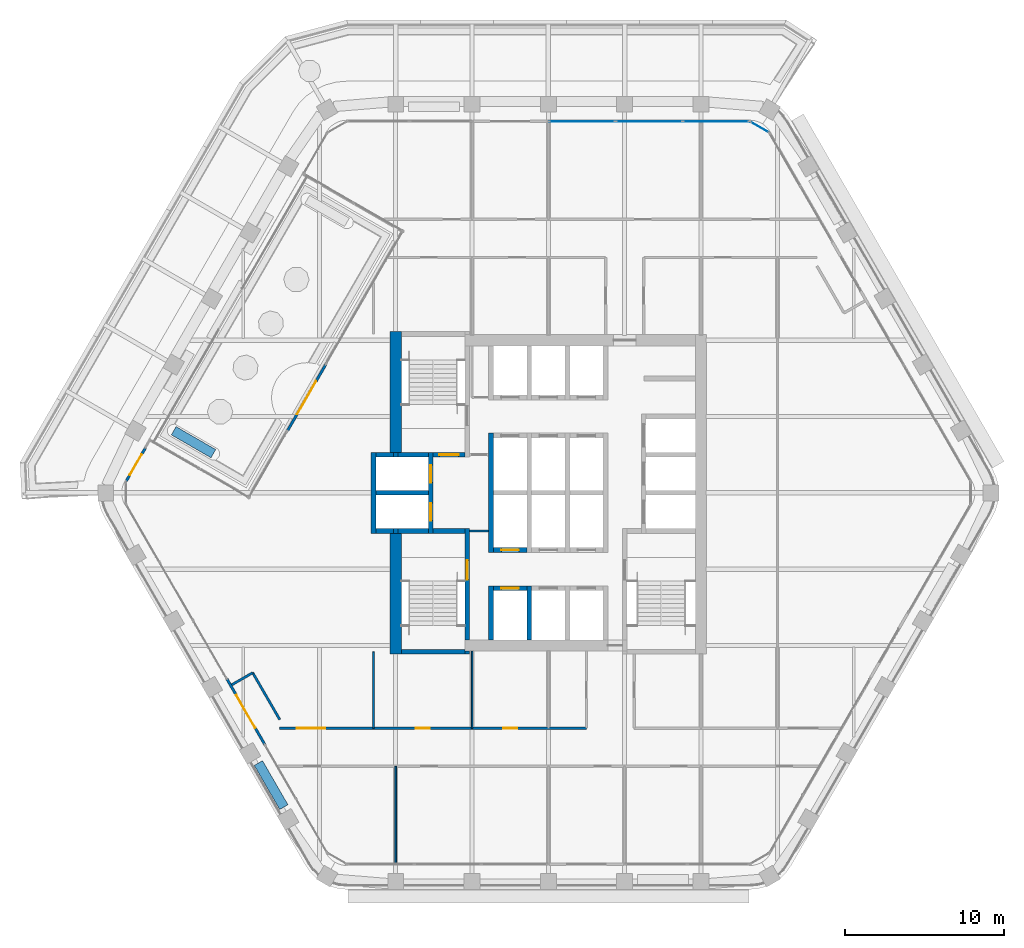
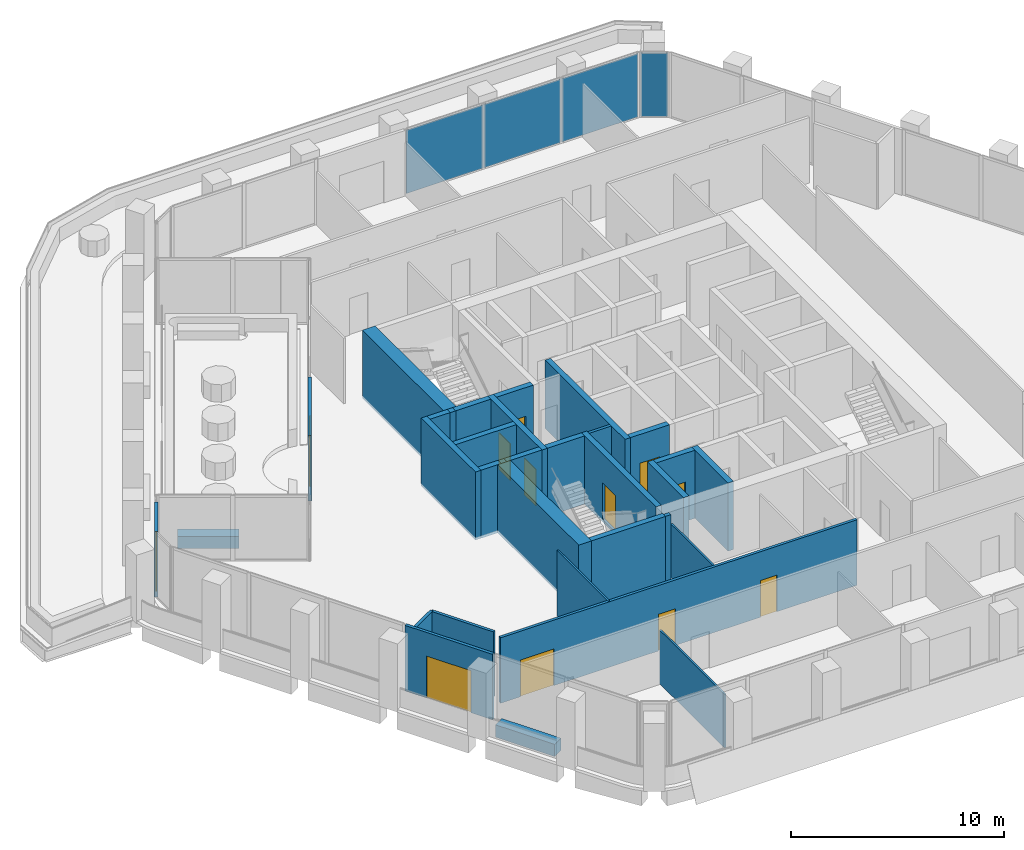
# One storey, part 11 of 18: 33 walls, 12 doors, 4 plates, 12 openings, 2 elements without a shape of their own.
"""IFC4 building model written with IfcOpenShell, lengths in metres."""

import ifcopenshell
import ifcopenshell.guid

model = None  # the IFC model being written
_history = None  # IfcOwnerHistory: only IFC2X3 demands one
_inside = {}  # id of a spatial element -> (the spatial element, [elements in it])
_under = {}  # id of a project, library or spatial element -> (it, [spatial elements below it])
_declared = {}  # id of a project -> (the project, [libraries it declares])
_typed = {}  # id of a type object -> (the type object, [elements of that type])
_made_of = {}  # id of a material, layer set ... -> (it, [elements and type objects made of it])


def new_model(schema):
    """Start an empty IFC model of exactly this schema.

    Asked for "IFC4X3", IfcOpenShell would pick the latest addendum, in which some entities
    have other attributes; the version numbers below select the first issue.
    IFC2X3 requires an IfcOwnerHistory on every rooted entity: one is made here for all.
    """
    global model, _history
    if schema == "IFC4X3":
        model = ifcopenshell.file(schema_version=(4, 3, 0, 0))
    else:
        model = ifcopenshell.file(schema=schema)
    _inside.clear()
    _under.clear()
    _declared.clear()
    _typed.clear()
    _made_of.clear()
    _history = None
    if model.schema == "IFC2X3":
        org = make("IfcOrganization", Name="unknown")
        user = make(
            "IfcPersonAndOrganization",
            ThePerson=make("IfcPerson", FamilyName="unknown"),
            TheOrganization=org,
        )
        app = make(
            "IfcApplication",
            ApplicationDeveloper=org,
            Version="unknown",
            ApplicationFullName="unknown",
            ApplicationIdentifier="unknown",
        )
        _history = make(
            "IfcOwnerHistory",
            OwningUser=user,
            OwningApplication=app,
            ChangeAction="ADDED",
            CreationDate=0,
        )
    return model


def make(cls, **values):
    """One entity of the class cls with the attributes given. An attribute that is None is left unset."""
    return model.create_entity(
        cls, **{name: value for name, value in values.items() if value is not None}
    )


def rooted(cls, **values):
    """An entity with a GlobalId (a new one), such as an element, a storey or a relation."""
    return make(cls, GlobalId=ifcopenshell.guid.new(), OwnerHistory=_history, **values)


def si_unit(unit_type, name, prefix=None):
    """IfcSIUnit, for example si_unit("LENGTHUNIT", "METRE", prefix="MILLI")."""
    return make("IfcSIUnit", UnitType=unit_type, Prefix=prefix, Name=name)


def assignment(units):
    """IfcUnitAssignment: the units of a project."""
    return None if units is None else make("IfcUnitAssignment", Units=units)


def point(xyz):
    """IfcCartesianPoint."""
    return None if xyz is None else make("IfcCartesianPoint", Coordinates=xyz)


def direction(xyz):
    """IfcDirection."""
    return None if xyz is None else make("IfcDirection", DirectionRatios=xyz)


def frame(location, z_axis=None, x_axis=None):
    """IfcAxis2Placement3D, a coordinate frame: its origin and axes. An axis left out is left unset."""
    return make(
        "IfcAxis2Placement3D",
        Location=point(location),
        Axis=direction(z_axis),
        RefDirection=direction(x_axis),
    )


def frame_2d(location, x_axis=None):
    """IfcAxis2Placement2D, a coordinate frame in the plane: its origin and x axis."""
    return make(
        "IfcAxis2Placement2D", Location=point(location), RefDirection=direction(x_axis)
    )


def origin():
    """The frame at (0, 0, 0) with its axes left unset."""
    return frame((0.0, 0.0, 0.0))


def origin_2d():
    """The frame at (0, 0) in the plane with its x axis left unset."""
    return frame_2d((0.0, 0.0))


def place(relative_to, where):
    """IfcLocalPlacement: puts the frame where relative to a parent placement (None: the world)."""
    return make(
        "IfcLocalPlacement", PlacementRelTo=relative_to, RelativePlacement=where
    )


def context(
    kind, dimensions, precision=None, world=None, true_north=None, identifier=None
):
    """IfcGeometricRepresentationContext, for example the 3D "Model" context."""
    return make(
        "IfcGeometricRepresentationContext",
        ContextIdentifier=identifier,
        ContextType=kind,
        CoordinateSpaceDimension=dimensions,
        Precision=precision,
        WorldCoordinateSystem=world,
        TrueNorth=true_north,
    )


def subcontext(parent, identifier, kind, view, scale=None):
    """IfcGeometricRepresentationSubContext, for example "Body" below "Model"."""
    return make(
        "IfcGeometricRepresentationSubContext",
        ContextIdentifier=identifier,
        ContextType=kind,
        ParentContext=parent,
        TargetScale=scale,
        TargetView=view,
    )


def project(units=None, contexts=None):
    """IfcProject with its units and contexts."""
    return rooted(
        "IfcProject",
        Name="project",
        RepresentationContexts=contexts,
        UnitsInContext=assignment(units),
    )


def spatial(cls, under=None, at=None, **own):
    """A site, building, storey or space (cls), placed at a placement, below another one or the project."""
    s = rooted(cls, ObjectPlacement=at, **own)
    if under is not None:
        _under.setdefault(under.id(), (under, []))[1].append(s)
    return s


def profile(cls, at=None, kind="AREA", **sizes):
    """A parametric profile (cls). Its sizes go by their IFC names, for example OverallWidth=200.0."""
    return make(cls, ProfileType=kind, Position=at, **sizes)


def rectangle(**sizes):
    """IfcRectangleProfileDef."""
    return profile("IfcRectangleProfileDef", **sizes)


def extrude(swept, where, along, depth):
    """IfcExtrudedAreaSolid: the profile swept, set in the frame where, extruded along a direction by depth."""
    return make(
        "IfcExtrudedAreaSolid",
        SweptArea=swept,
        Position=where,
        ExtrudedDirection=direction(along),
        Depth=depth,
    )


def shape(context_of_items, identifier, shape_type, items):
    """IfcShapeRepresentation: the items that make up one representation, for example the "Body"."""
    return make(
        "IfcShapeRepresentation",
        ContextOfItems=context_of_items,
        RepresentationIdentifier=identifier,
        RepresentationType=shape_type,
        Items=items,
    )


def material(Name=None, Category=None):
    """IfcMaterial."""
    return make("IfcMaterial", Name=Name, Category=Category)


def layer(
    of_material, thickness, ventilated=None, Name=None, Category=None, Priority=None
):
    """IfcMaterialLayer: one layer of a wall or slab, of a material (None: an air gap)."""
    return make(
        "IfcMaterialLayer",
        Material=of_material,
        LayerThickness=thickness,
        IsVentilated=ventilated,
        Name=Name,
        Category=Category,
        Priority=Priority,
    )


def layer_set(layers, Name=None):
    """IfcMaterialLayerSet."""
    return make("IfcMaterialLayerSet", MaterialLayers=layers, LayerSetName=Name)


def made_of(thing, what):
    """Note that an element or type object is made of a material, layer set ...; save() writes the relation."""
    if what is not None:
        _made_of.setdefault(what.id(), (what, []))[1].append(thing)
    return thing


def type_object(cls, material=None, **own):
    """A type object (cls), such as IfcWallType, which elements share."""
    return made_of(rooted(cls, **own), material)


def element(
    cls,
    number,
    at=None,
    inside=None,
    cuts=None,
    type_object=None,
    material=None,
    context=None,
    identifier="Body",
    shape_type=None,
    held_by="IfcProductDefinitionShape",
    body=None,
    shapes=None,
    **own,
):
    """One element of the class cls, such as IfcWall. Its Tag is "e" and its number.

    at: its placement. inside: the storey or other place that contains it. cuts: it is an
    opening in that element (IfcRelVoidsElement). A single representation is given by context,
    identifier, shape_type and body (its items); several are given by shapes. held_by: the class
    of the entity that holds the representations. save() writes the other relations.
    """
    e = rooted(cls, Tag="e%d" % number, ObjectPlacement=at, **own)
    if body is not None:
        shapes = [shape(context, identifier, shape_type, body)]
    if shapes is not None:
        e.Representation = make(held_by, Representations=shapes)
    if inside is not None:
        _inside.setdefault(inside.id(), (inside, []))[1].append(e)
    if cuts is not None:
        rooted(
            "IfcRelVoidsElement", RelatingBuildingElement=cuts, RelatedOpeningElement=e
        )
    if type_object is not None:
        _typed.setdefault(type_object.id(), (type_object, []))[1].append(e)
    return made_of(e, material)


def fill(opening, filler):
    """IfcRelFillsElement: the door or window that sits in an opening."""
    return rooted(
        "IfcRelFillsElement",
        RelatingOpeningElement=opening,
        RelatedBuildingElement=filler,
    )


def aggregate(whole, parts):
    """IfcRelAggregates: a whole, such as a stair, and the parts it consists of."""
    return rooted("IfcRelAggregates", RelatingObject=whole, RelatedObjects=parts)


def save(model, path):
    """Write the relations noted so far, then the file.

    IfcRelAggregates (storeys below a building ...), IfcRelContainedInSpatialStructure (elements
    in a storey), IfcRelDefinesByType, IfcRelAssociatesMaterial and IfcRelDeclares: one each for
    every whole, place, type object, material and project.
    """
    for whole, parts in _under.values():
        aggregate(whole, parts)
    for where, things in _inside.values():
        rooted(
            "IfcRelContainedInSpatialStructure",
            RelatedElements=things,
            RelatingStructure=where,
        )
    for kind, things in _typed.values():
        rooted("IfcRelDefinesByType", RelatedObjects=things, RelatingType=kind)
    for what, things in _made_of.values():
        rooted("IfcRelAssociatesMaterial", RelatedObjects=things, RelatingMaterial=what)
    for by, libraries in _declared.values():
        rooted("IfcRelDeclares", RelatingContext=by, RelatedDefinitions=libraries)
    model.write(path)


model = new_model("IFC4")

# Units and contexts
model_context = context("Model", 3, precision=1e-05, world=origin(), true_north=direction((0.0, 1.0)))
body_context = subcontext(model_context, "Body", "Model", "MODEL_VIEW")
ifc_project = project(units=[si_unit("LENGTHUNIT", "METRE"), si_unit("AREAUNIT", "SQUARE_METRE"), si_unit("VOLUMEUNIT", "CUBIC_METRE"), si_unit("PLANEANGLEUNIT", "RADIAN"), si_unit("MASSUNIT", "GRAM", prefix="KILO")], contexts=[model_context])

# Site, building, storey
site_placement = place(None, origin())
site = spatial("IfcSite", under=ifc_project, at=site_placement, CompositionType="ELEMENT")
building_placement = place(site_placement, origin())
building = spatial("IfcBuilding", under=site, at=building_placement, Name="Kolab Exchange Tower", CompositionType="ELEMENT")
storey_placement = place(building_placement, frame((0.0, 0.0, 150.5)))
storey = spatial("IfcBuildingStorey", under=building, at=storey_placement, Name="L30", CompositionType="ELEMENT", Elevation=150.5)

# Curtain wall, plates
ifc_material_1 = material(Name="Aluminium EN AW-6063 T6", Category="aluminium")
curtain_wall_type = type_object("IfcCurtainWallType", Name="UNITISED UPPER MID ZONE CURTAIN WALL", PredefinedType="NOTDEFINED", material=ifc_material_1)
curtain_wall_1_placement = place(storey_placement, origin())
curtain_wall_1 = element("IfcCurtainWall", 1, at=curtain_wall_1_placement, inside=storey, type_object=curtain_wall_type, Name="cw/L30/F1-2", PredefinedType="NOTDEFINED")
ifc_material_2 = material(Name="Clear insulated glazing unit", Category="glass")
ifc_layer_1 = layer(ifc_material_2, 0.028076171875)
ifc_layer_set_1 = layer_set([ifc_layer_1], Name="Clear insulated glazing unit")
plate_type = type_object("IfcPlateType", Name="UNITISED UPPER MID ZONE GLASS PANEL 28", PredefinedType="CURTAIN_PANEL", material=ifc_layer_set_1)
plate_1_placement = place(storey_placement, frame((2.126220703125, 23.361572265625, 0.06005859375), z_axis=(0.0, 0.0, 1.0), x_axis=(1.0, 0.0, 0.0)))
plate_1 = element("IfcPlate", 2, at=plate_1_placement, type_object=plate_type, Name="CW3 panel 1.1", PredefinedType="CURTAIN_PANEL", context=body_context, shape_type="SweptSolid", body=[
    extrude(rectangle(XDim=4.132568359375, YDim=0.028076171875, at=origin_2d()), origin(), (0.0, 0.0, 1.0), 3.6298828125),
])
plate_2_placement = place(storey_placement, frame((6.333984375, 23.361572265625, 0.06005859375), z_axis=(0.0, 0.0, 1.0), x_axis=(1.0, 0.0, 0.0)))
plate_2 = element("IfcPlate", 3, at=plate_2_placement, type_object=plate_type, Name="CW3 panel 2.1", PredefinedType="CURTAIN_PANEL", context=body_context, shape_type="SweptSolid", body=[
    extrude(rectangle(XDim=4.16259765625, YDim=0.028076171875, at=origin_2d()), origin(), (0.0, 0.0, 1.0), 3.6298828125),
])
plate_3_placement = place(storey_placement, frame((10.54150390625, 23.361572265625, 0.06005859375), z_axis=(0.0, 0.0, 1.0), x_axis=(1.0, 0.0, 0.0)))
plate_3 = element("IfcPlate", 4, at=plate_3_placement, type_object=plate_type, Name="CW3 panel 3.1", PredefinedType="CURTAIN_PANEL", context=body_context, shape_type="SweptSolid", body=[
    extrude(rectangle(XDim=4.132568359375, YDim=0.028076171875, at=origin_2d()), origin(), (0.0, 0.0, 1.0), 3.6298828125),
])
aggregate(curtain_wall_1, [plate_1, plate_2, plate_3])

# Curtain wall, plate
curtain_wall_2_placement = place(storey_placement, origin())
curtain_wall_2 = element("IfcCurtainWall", 5, at=curtain_wall_2_placement, inside=storey, type_object=curtain_wall_type, Name="cw/L30/F1F2-corner", PredefinedType="NOTDEFINED")
plate_4_placement = place(storey_placement, frame((13.28271484375, 23.006591796875, 0.06005859375), z_axis=(0.0, 0.0, 1.0), x_axis=(0.866025390869, -0.50000002237, 0.0)))
plate_4 = element("IfcPlate", 6, at=plate_4_placement, type_object=plate_type, Name="CW3 panel 1.1", PredefinedType="CURTAIN_PANEL", context=body_context, shape_type="SweptSolid", body=[
    extrude(rectangle(XDim=1.300048828125, YDim=0.028076171875, at=origin_2d()), origin(), (0.0, 0.0, 1.0), 3.6298828125),
])
aggregate(curtain_wall_2, [plate_4])

# Walls
ifc_material_3 = material(Name="Concrete C60/75", Category="concrete")
ifc_layer_2 = layer(ifc_material_3, 0.699951171875)
ifc_layer_set_2 = layer_set([ifc_layer_2], Name="Concrete C60/75")
wall_type_1 = type_object("IfcWallType", Name="CORE WALL 700 C60/75", PredefinedType="SHEAR", material=ifc_layer_set_2)
for number, where, z_axis, x_axis, name in (
    (7, (-9.60009765625, -10.14990234375, -0.14990234375), (0.0, 0.0, 1.0), (0.0, 1.0, 0.0), "wall/L30/core/034"),
    (8, (-9.60009765625, 2.550048828125, -0.14990234375), (0.0, 0.0, 1.0), (0.0, 1.0, 0.0), "wall/L30/core/037"),
):
    element("IfcWall", number, at=place(storey_placement, frame(where, z_axis=z_axis, x_axis=x_axis)), inside=storey, type_object=wall_type_1, Name=name, PredefinedType="SHEAR", context=body_context, shape_type="SweptSolid", body=[
        extrude(rectangle(XDim=7.599853515625, YDim=0.699951171875, at=frame_2d((3.7998046875, 0.0))), origin(), (0.0, 0.0, 1.0), 3.89990234375),
    ])

# Wall, opening, door
ifc_layer_3 = layer(ifc_material_1, 0.159912109375)
ifc_layer_set_3 = layer_set([ifc_layer_3], Name="Aluminium EN AW-6063 T6")
wall_type_2 = type_object("IfcWallType", Name="DOOR SURROUND WALL 160 ALUMINIUM FRAMED", PredefinedType="PARTITIONING", material=ifc_layer_set_3)
wall_1_placement = place(storey_placement, frame((-17.8466796875, -15.811767578125, 0.0), z_axis=(0.0, 0.0, 1.0), x_axis=(-0.5000167099, 0.866015756104, 0.0)))
wall_1 = element("IfcWall", 9, at=wall_1_placement, inside=storey, type_object=wall_type_2, Name="Door surround wall", PredefinedType="PARTITIONING", context=body_context, shape_type="SweptSolid", body=[
    extrude(rectangle(XDim=4.739990234375, YDim=0.159912109375, at=frame_2d((2.3701171875, 0.0))), origin(), (0.0, 0.0, 1.0), 3.75),
])
opening_1_placement = place(wall_1_placement, frame((1.169921875, 0.0, 0.0)))
opening_1 = element("IfcOpeningElement", 10, at=opening_1_placement, cuts=wall_1, Name="Opening GD1-068", PredefinedType="OPENING", context=body_context, shape_type="SweptSolid", body=[
    extrude(rectangle(XDim=2.39990234375, YDim=2.39990234375, at=frame_2d((1.199951171875, 1.199951171875))), frame((0.0, 0.08984375, 0.0), z_axis=(0.0, -1.0, 0.0), x_axis=(1.0, 0.0, 0.0)), (0.0, 0.0, 1.0), 0.179931640625),
])
door_type_1 = type_object("IfcDoorType", Name="LOGGIA SLIDING GLASS DOOR 2400 X 2400", OperationType="DOUBLE_DOOR_SINGLE_SWING", PredefinedType="DOOR", material=ifc_material_1)
door_1_placement = place(opening_1_placement, origin())
door_1 = element("IfcDoor", 11, at=door_1_placement, inside=storey, type_object=door_type_1, Name="Loggia door", OperationType="DOUBLE_DOOR_SLIDING", OverallHeight=2.39990234375, OverallWidth=2.39990234375, PredefinedType="DOOR", context=body_context, shape_type="SweptSolid", body=[
    extrude(rectangle(XDim=2.39990234375, YDim=2.39990234375, at=frame_2d((1.199951171875, 1.199951171875))), frame((0.0, 0.02490234375, 0.0), z_axis=(0.0, -1.0, 0.0), x_axis=(1.0, 0.0, 0.0)), (0.0, 0.0, 1.0), 0.050048828125),
])
fill(opening_1, door_1)

wall_2_placement = place(storey_placement, frame((-26.550537109375, 0.736083984375, 0.0), z_axis=(0.0, 0.0, 1.0), x_axis=(0.500001309137, 0.866024647952, 0.0)))
wall_2 = element("IfcWall", 12, at=wall_2_placement, inside=storey, type_object=wall_type_2, Name="Door surround wall", PredefinedType="PARTITIONING", context=body_context, shape_type="SweptSolid", body=[
    extrude(rectangle(XDim=2.39990234375, YDim=0.159912109375, at=frame_2d((1.199951171875, 0.0))), origin(), (0.0, 0.0, 1.0), 3.75),
])
opening_2_placement = place(wall_2_placement, frame((0.449951171875, 0.0, 0.0)))
opening_2 = element("IfcOpeningElement", 13, at=opening_2_placement, cuts=wall_2, Name="Opening GD2-006", PredefinedType="OPENING", context=body_context, shape_type="SweptSolid", body=[
    extrude(rectangle(XDim=1.5, YDim=2.39990234375, at=frame_2d((0.75, 1.199951171875))), frame((0.0, 0.08984375, 0.0), z_axis=(0.0, -1.0, 0.0), x_axis=(1.0, 0.0, 0.0)), (0.0, 0.0, 1.0), 0.179931640625),
])
door_type_2 = type_object("IfcDoorType", Name="LOGGIA SLIDING GLASS DOOR 1500 X 2400", OperationType="SLIDING_TO_LEFT", PredefinedType="DOOR", material=ifc_material_1)
door_2_placement = place(opening_2_placement, origin())
door_2 = element("IfcDoor", 14, at=door_2_placement, inside=storey, type_object=door_type_2, Name="Loggia door", OperationType="DOUBLE_DOOR_SLIDING", OverallHeight=2.39990234375, OverallWidth=1.5, PredefinedType="DOOR", context=body_context, shape_type="SweptSolid", body=[
    extrude(rectangle(XDim=1.5, YDim=2.39990234375, at=frame_2d((0.75, 1.199951171875))), frame((0.0, 0.02490234375, 0.0), z_axis=(0.0, -1.0, 0.0), x_axis=(1.0, 0.0, 0.0)), (0.0, 0.0, 1.0), 0.050048828125),
])
fill(opening_2, door_2)

wall_3_placement = place(storey_placement, frame((-16.4013671875, 3.915283203125, 0.0), z_axis=(0.0, 0.0, 1.0), x_axis=(0.500039310002, 0.866002706955, 0.0)))
wall_3 = element("IfcWall", 15, at=wall_3_placement, inside=storey, type_object=wall_type_2, Name="Door surround wall", PredefinedType="PARTITIONING", context=body_context, shape_type="SweptSolid", body=[
    extrude(rectangle(XDim=4.77978515625, YDim=0.159912109375, at=frame_2d((2.389892578125, 0.0))), origin(), (0.0, 0.0, 1.0), 3.75),
])
opening_3_placement = place(wall_3_placement, frame((1.18994140625, 0.0, 0.0)))
opening_3 = element("IfcOpeningElement", 16, at=opening_3_placement, cuts=wall_3, Name="Opening GD1-076", PredefinedType="OPENING", context=body_context, shape_type="SweptSolid", body=[
    extrude(rectangle(XDim=2.39990234375, YDim=2.39990234375, at=frame_2d((1.199951171875, 1.199951171875))), frame((0.0, 0.08984375, 0.0), z_axis=(0.0, -1.0, 0.0), x_axis=(1.0, 0.0, 0.0)), (0.0, 0.0, 1.0), 0.179931640625),
])
door_3_placement = place(opening_3_placement, origin())
door_3 = element("IfcDoor", 17, at=door_3_placement, inside=storey, type_object=door_type_1, Name="Loggia door", OperationType="DOUBLE_DOOR_SLIDING", OverallHeight=2.39990234375, OverallWidth=2.39990234375, PredefinedType="DOOR", context=body_context, shape_type="SweptSolid", body=[
    extrude(rectangle(XDim=2.39990234375, YDim=2.39990234375, at=frame_2d((1.199951171875, 1.199951171875))), frame((0.0, 0.02490234375, 0.0), z_axis=(0.0, -1.0, 0.0), x_axis=(1.0, 0.0, 0.0)), (0.0, 0.0, 1.0), 0.050048828125),
])
fill(opening_3, door_3)

ifc_material_4 = material(Name="Concrete C50/60", Category="concrete")
ifc_layer_4 = layer(ifc_material_4, 0.300048828125)
ifc_layer_set_4 = layer_set([ifc_layer_4], Name="Concrete C50/60")
wall_type_3 = type_object("IfcWallType", Name="LIFT SHAFT WALL 300 C50/60", PredefinedType="STANDARD", material=ifc_layer_set_4)
wall_4_placement = place(storey_placement, frame((-3.449951171875, -6.0, -0.14990234375), z_axis=(0.0, 0.0, 1.0), x_axis=(1.0, 0.0, 0.0)))
wall_4 = element("IfcWall", 18, at=wall_4_placement, inside=storey, type_object=wall_type_3, Name="wall/L30/core/003", PredefinedType="STANDARD", context=body_context, shape_type="SweptSolid", body=[
    extrude(rectangle(XDim=2.099853515625, YDim=0.300048828125, at=frame_2d((1.0498046875, 0.0))), origin(), (0.0, 0.0, 1.0), 3.89990234375),
])
opening_4_placement = place(wall_4_placement, frame((0.5, 0.0, 0.14990234375)))
opening_4 = element("IfcOpeningElement", 19, at=opening_4_placement, cuts=wall_4, Name="Opening LD1-110", PredefinedType="OPENING", context=body_context, shape_type="SweptSolid", body=[
    extrude(rectangle(XDim=1.10009765625, YDim=2.10009765625, at=frame_2d((0.550048828125, 1.050048828125))), frame((0.0, 0.16015625, 0.0), z_axis=(0.0, -1.0, 0.0), x_axis=(1.0, 0.0, 0.0)), (0.0, 0.0, 1.0), 0.320068359375),
])
ifc_material_5 = material(Name="Stainless steel 316", Category="steel")
door_type_3 = type_object("IfcDoorType", Name="LANDING DOOR 1100 PASSENGER", OperationType="DOUBLE_DOOR_SLIDING", PredefinedType="DOOR", material=ifc_material_5)
door_4_placement = place(opening_4_placement, origin())
door_4 = element("IfcDoor", 20, at=door_4_placement, inside=storey, type_object=door_type_3, Name="Landing door HR10", OperationType="DOUBLE_DOOR_SLIDING", OverallHeight=2.10009765625, OverallWidth=1.10009765625, PredefinedType="DOOR", context=body_context, shape_type="SweptSolid", body=[
    extrude(rectangle(XDim=1.10009765625, YDim=2.10009765625, at=frame_2d((0.550048828125, 1.050048828125))), frame((0.0, 0.02490234375, 0.0), z_axis=(0.0, -1.0, 0.0), x_axis=(1.0, 0.0, 0.0)), (0.0, 0.0, 1.0), 0.050048828125),
])
fill(opening_4, door_4)

wall_5_placement = place(storey_placement, frame((-3.449951171875, -3.60009765625, -0.14990234375), z_axis=(0.0, 0.0, 1.0), x_axis=(1.0, 0.0, 0.0)))
wall_5 = element("IfcWall", 21, at=wall_5_placement, inside=storey, type_object=wall_type_3, Name="wall/L30/core/006", PredefinedType="STANDARD", context=body_context, shape_type="SweptSolid", body=[
    extrude(rectangle(XDim=2.099853515625, YDim=0.300048828125, at=frame_2d((1.0498046875, 0.0))), origin(), (0.0, 0.0, 1.0), 3.89990234375),
])
opening_5_placement = place(wall_5_placement, frame((0.5, 0.0, 0.14990234375)))
opening_5 = element("IfcOpeningElement", 22, at=opening_5_placement, cuts=wall_5, Name="Opening LD1-118", PredefinedType="OPENING", context=body_context, shape_type="SweptSolid", body=[
    extrude(rectangle(XDim=1.10009765625, YDim=2.10009765625, at=frame_2d((0.550048828125, 1.050048828125))), frame((0.0, 0.16015625, 0.0), z_axis=(0.0, -1.0, 0.0), x_axis=(1.0, 0.0, 0.0)), (0.0, 0.0, 1.0), 0.320068359375),
])
door_5_placement = place(opening_5_placement, origin())
door_5 = element("IfcDoor", 23, at=door_5_placement, inside=storey, type_object=door_type_3, Name="Landing door HR7", OperationType="DOUBLE_DOOR_SLIDING", OverallHeight=2.10009765625, OverallWidth=1.10009765625, PredefinedType="DOOR", context=body_context, shape_type="SweptSolid", body=[
    extrude(rectangle(XDim=1.10009765625, YDim=2.10009765625, at=frame_2d((0.550048828125, 1.050048828125))), frame((0.0, 0.02490234375, 0.0), z_axis=(0.0, -1.0, 0.0), x_axis=(1.0, 0.0, 0.0)), (0.0, 0.0, 1.0), 0.050048828125),
])
fill(opening_5, door_5)

# Walls
wall_6_placement = place(storey_placement, frame((-10.85009765625, -2.39990234375, -0.14990234375), z_axis=(0.0, 0.0, 1.0), x_axis=(1.0, 0.0, 0.0)))
element("IfcWall", 24, at=wall_6_placement, inside=storey, type_object=wall_type_3, Name="wall/L30/core/009", PredefinedType="STANDARD", context=body_context, shape_type="SweptSolid", body=[
    extrude(rectangle(XDim=1.10009765625, YDim=0.300048828125, at=frame_2d((0.550048828125, 0.0))), origin(), (0.0, 0.0, 1.0), 3.89990234375),
])
wall_7_placement = place(storey_placement, frame((-10.85009765625, 0.0, -0.14990234375), z_axis=(0.0, 0.0, 1.0), x_axis=(1.0, 0.0, 0.0)))
element("IfcWall", 25, at=wall_7_placement, inside=storey, type_object=wall_type_3, Name="wall/L30/core/014", PredefinedType="STANDARD", context=body_context, shape_type="SweptSolid", body=[
    extrude(rectangle(XDim=3.300048828125, YDim=0.300048828125, at=frame_2d((1.64990234375, 0.0))), origin(), (0.0, 0.0, 1.0), 3.89990234375),
])
wall_8_placement = place(storey_placement, frame((-10.85009765625, 2.39990234375, -0.14990234375), z_axis=(0.0, 0.0, 1.0), x_axis=(1.0, 0.0, 0.0)))
element("IfcWall", 26, at=wall_8_placement, inside=storey, type_object=wall_type_3, Name="wall/L30/core/019", PredefinedType="STANDARD", context=body_context, shape_type="SweptSolid", body=[
    extrude(rectangle(XDim=1.10009765625, YDim=0.300048828125, at=frame_2d((0.550048828125, 0.0))), origin(), (0.0, 0.0, 1.0), 3.89990234375),
])
wall_9_placement = place(storey_placement, frame((-11.0, -2.550048828125, -0.14990234375), z_axis=(0.0, 0.0, 1.0), x_axis=(0.0, 1.0, 0.0)))
element("IfcWall", 27, at=wall_9_placement, inside=storey, type_object=wall_type_3, Name="wall/L30/core/033", PredefinedType="STANDARD", context=body_context, shape_type="SweptSolid", body=[
    extrude(rectangle(XDim=5.10009765625, YDim=0.300048828125, at=frame_2d((2.550048828125, 0.0))), origin(), (0.0, 0.0, 1.0), 3.89990234375),
])

# Wall, openings, doors
wall_10_placement = place(storey_placement, frame((-7.39990234375, -2.550048828125, -0.14990234375), z_axis=(0.0, 0.0, 1.0), x_axis=(0.0, 1.0, 0.0)))
wall_10 = element("IfcWall", 28, at=wall_10_placement, inside=storey, type_object=wall_type_3, Name="wall/L30/core/038", PredefinedType="STANDARD", context=body_context, shape_type="SweptSolid", body=[
    extrude(rectangle(XDim=5.10009765625, YDim=0.300048828125, at=frame_2d((2.550048828125, 0.0))), origin(), (0.0, 0.0, 1.0), 3.89990234375),
])
opening_6_placement = place(wall_10_placement, frame((0.800048828125, 0.0, 0.14990234375)))
opening_6 = element("IfcOpeningElement", 29, at=opening_6_placement, cuts=wall_10, Name="Opening LD2-025", PredefinedType="OPENING", context=body_context, shape_type="SweptSolid", body=[
    extrude(rectangle(XDim=1.10009765625, YDim=2.10009765625, at=frame_2d((0.550048828125, 1.050048828125))), frame((0.0, 0.16015625, 0.0), z_axis=(0.0, -1.0, 0.0), x_axis=(1.0, 0.0, 0.0)), (0.0, 0.0, 1.0), 0.320068359375),
])
opening_7_placement = place(wall_10_placement, frame((3.199951171875, 0.0, 0.14990234375)))
opening_7 = element("IfcOpeningElement", 30, at=opening_7_placement, cuts=wall_10, Name="Opening LD2-026", PredefinedType="OPENING", context=body_context, shape_type="SweptSolid", body=[
    extrude(rectangle(XDim=1.10009765625, YDim=2.10009765625, at=frame_2d((0.550048828125, 1.050048828125))), frame((0.0, 0.16015625, 0.0), z_axis=(0.0, -1.0, 0.0), x_axis=(1.0, 0.0, 0.0)), (0.0, 0.0, 1.0), 0.320068359375),
])
door_type_4 = type_object("IfcDoorType", Name="LANDING DOOR 1100 FIREFIGHTING", OperationType="DOUBLE_DOOR_SLIDING", PredefinedType="DOOR", material=ifc_material_5)
door_6_placement = place(opening_6_placement, origin())
door_6 = element("IfcDoor", 31, at=door_6_placement, inside=storey, type_object=door_type_4, Name="Landing door FF1", OperationType="DOUBLE_DOOR_SLIDING", OverallHeight=2.10009765625, OverallWidth=1.10009765625, PredefinedType="DOOR", context=body_context, shape_type="SweptSolid", body=[
    extrude(rectangle(XDim=1.10009765625, YDim=2.10009765625, at=frame_2d((0.550048828125, 1.050048828125))), frame((0.0, 0.02490234375, 0.0), z_axis=(0.0, -1.0, 0.0), x_axis=(1.0, 0.0, 0.0)), (0.0, 0.0, 1.0), 0.050048828125),
])
fill(opening_6, door_6)
door_7_placement = place(opening_7_placement, origin())
door_7 = element("IfcDoor", 32, at=door_7_placement, inside=storey, type_object=door_type_4, Name="Landing door FF2", OperationType="DOUBLE_DOOR_SLIDING", OverallHeight=2.10009765625, OverallWidth=1.10009765625, PredefinedType="DOOR", context=body_context, shape_type="SweptSolid", body=[
    extrude(rectangle(XDim=1.10009765625, YDim=2.10009765625, at=frame_2d((0.550048828125, 1.050048828125))), frame((0.0, 0.02490234375, 0.0), z_axis=(0.0, -1.0, 0.0), x_axis=(1.0, 0.0, 0.0)), (0.0, 0.0, 1.0), 0.050048828125),
])
fill(opening_7, door_7)

# Walls
wall_11_placement = place(storey_placement, frame((-3.60009765625, -9.25, -0.14990234375), z_axis=(0.0, 0.0, 1.0), x_axis=(0.0, 1.0, 0.0)))
element("IfcWall", 33, at=wall_11_placement, inside=storey, type_object=wall_type_3, Name="wall/L30/core/043", PredefinedType="STANDARD", context=body_context, shape_type="SweptSolid", body=[
    extrude(rectangle(XDim=3.39990234375, YDim=0.300048828125, at=frame_2d((1.699951171875, 0.0))), origin(), (0.0, 0.0, 1.0), 3.89990234375),
])
wall_12_placement = place(storey_placement, frame((-3.60009765625, -3.75, -0.14990234375), z_axis=(0.0, 0.0, 1.0), x_axis=(0.0, 1.0, 0.0)))
element("IfcWall", 34, at=wall_12_placement, inside=storey, type_object=wall_type_3, Name="wall/L30/core/044", PredefinedType="STANDARD", context=body_context, shape_type="SweptSolid", body=[
    extrude(rectangle(XDim=7.5, YDim=0.300048828125, at=frame_2d((3.75, 0.0))), origin(), (0.0, 0.0, 1.0), 3.89990234375),
])
wall_13_placement = place(storey_placement, frame((-1.199951171875, -9.25, -0.14990234375), z_axis=(0.0, 0.0, 1.0), x_axis=(0.0, 1.0, 0.0)))
element("IfcWall", 35, at=wall_13_placement, inside=storey, type_object=wall_type_3, Name="wall/L30/core/046", PredefinedType="STANDARD", context=body_context, shape_type="SweptSolid", body=[
    extrude(rectangle(XDim=3.39990234375, YDim=0.300048828125, at=frame_2d((1.699951171875, 0.0))), origin(), (0.0, 0.0, 1.0), 3.89990234375),
])
ifc_material_6 = material(Name="Gypsum board", Category="gypsum")
ifc_layer_5 = layer(ifc_material_6, 0.10009765625)
ifc_layer_set_5 = layer_set([ifc_layer_5], Name="Gypsum board")
wall_type_4 = type_object("IfcWallType", Name="PARTITION 100", PredefinedType="PARTITIONING", material=ifc_layer_set_5)
wall_14_placement = place(storey_placement, frame((-4.800048828125, -14.800048828125, 0.0), z_axis=(0.0, 0.0, 1.0), x_axis=(0.0, 1.0, 0.0)))
element("IfcWall", 36, at=wall_14_placement, inside=storey, type_object=wall_type_4, Name="Partition 014", PredefinedType="PARTITIONING", context=body_context, shape_type="SweptSolid", body=[
    extrude(rectangle(XDim=4.85009765625, YDim=0.10009765625, at=frame_2d((2.425048828125, 0.0))), origin(), (0.0, 0.0, 1.0), 3.06591796875),
])
wall_15_placement = place(storey_placement, frame((-9.60009765625, -23.271484375, 0.0), z_axis=(0.0, 0.0, 1.0), x_axis=(0.0, 1.0, 0.0)))
element("IfcWall", 37, at=wall_15_placement, inside=storey, type_object=wall_type_4, Name="Partition 018", PredefinedType="PARTITIONING", context=body_context, shape_type="SweptSolid", body=[
    extrude(rectangle(XDim=6.071533203125, YDim=0.10009765625, at=frame_2d((3.03564453125, 0.0))), origin(), (0.0, 0.0, 1.0), 3.06591796875),
])
wall_16_placement = place(storey_placement, frame((-11.0, -14.800048828125, 0.0), z_axis=(0.0, 0.0, 1.0), x_axis=(0.0, 1.0, 0.0)))
element("IfcWall", 38, at=wall_16_placement, inside=storey, type_object=wall_type_4, Name="Partition 019", PredefinedType="PARTITIONING", context=body_context, shape_type="SweptSolid", body=[
    extrude(rectangle(XDim=4.800048828125, YDim=0.10009765625, at=frame_2d((2.39990234375, 0.0))), origin(), (0.0, 0.0, 1.0), 3.75),
])
ifc_layer_6 = layer(ifc_material_6, 0.14990234375)
ifc_layer_set_6 = layer_set([ifc_layer_6], Name="Gypsum board")
wall_type_5 = type_object("IfcWallType", Name="PARTITION 150 FIRE-RATED", PredefinedType="PARTITIONING", material=ifc_layer_set_6)
wall_17_placement = place(storey_placement, frame((-18.595947265625, -11.313720703125, 0.0), z_axis=(0.0, 0.0, 1.0), x_axis=(0.499977295307, -0.866038511948, 0.0)))
element("IfcWall", 39, at=wall_17_placement, inside=storey, type_object=wall_type_5, Name="Partition 021", PredefinedType="PARTITIONING", context=body_context, shape_type="SweptSolid", body=[
    extrude(rectangle(XDim=3.400146484375, YDim=0.14990234375, at=frame_2d((1.7001953125, 0.0))), origin(), (0.0, 0.0, 1.0), 3.75),
])
wall_18_placement = place(storey_placement, frame((-19.912353515625, -12.07373046875, 0.0), z_axis=(0.0, 0.0, 1.0), x_axis=(0.866030456496, 0.499991248344, 0.0)))
element("IfcWall", 40, at=wall_18_placement, inside=storey, type_object=wall_type_5, Name="Partition 023", PredefinedType="PARTITIONING", context=body_context, shape_type="SweptSolid", body=[
    extrude(rectangle(XDim=1.52001953125, YDim=0.14990234375, at=frame_2d((0.760009765625, 0.0))), origin(), (0.0, 0.0, 1.0), 3.75),
])

# Wall, openings, doors
wall_19_placement = place(storey_placement, frame((-16.9052734375, -14.800048828125, 0.0), z_axis=(0.0, 0.0, 1.0), x_axis=(1.0, 0.0, 0.0)))
wall_19 = element("IfcWall", 41, at=wall_19_placement, inside=storey, type_object=wall_type_5, Name="Partition 026", PredefinedType="PARTITIONING", context=body_context, shape_type="SweptSolid", body=[
    extrude(rectangle(XDim=19.30517578125, YDim=0.14990234375, at=frame_2d((9.652587890625, 0.0))), origin(), (0.0, 0.0, 1.0), 3.75),
])
opening_8_placement = place(wall_19_placement, frame((8.55517578125, 0.0, 0.0)))
opening_8 = element("IfcOpeningElement", 42, at=opening_8_placement, cuts=wall_19, Name="Opening D3-043", PredefinedType="OPENING", context=body_context, shape_type="SweptSolid", body=[
    extrude(rectangle(XDim=0.89990234375, YDim=2.10009765625, at=frame_2d((0.449951171875, 1.050048828125))), frame((0.0, 0.0849609375, 0.0), z_axis=(0.0, -1.0, 0.0), x_axis=(1.0, 0.0, 0.0)), (0.0, 0.0, 1.0), 0.169921875),
])
opening_9_placement = place(wall_19_placement, frame((14.05517578125, 0.0, 0.0)))
opening_9 = element("IfcOpeningElement", 43, at=opening_9_placement, cuts=wall_19, Name="Opening D3-044", PredefinedType="OPENING", context=body_context, shape_type="SweptSolid", body=[
    extrude(rectangle(XDim=0.89990234375, YDim=2.10009765625, at=frame_2d((0.449951171875, 1.050048828125))), frame((0.0, 0.0849609375, 0.0), z_axis=(0.0, -1.0, 0.0), x_axis=(1.0, 0.0, 0.0)), (0.0, 0.0, 1.0), 0.169921875),
])
opening_10_placement = place(wall_19_placement, frame((1.078857421875, 0.0, 0.0)))
opening_10 = element("IfcOpeningElement", 44, at=opening_10_placement, cuts=wall_19, Name="Opening D2-044", PredefinedType="OPENING", context=body_context, shape_type="SweptSolid", body=[
    extrude(rectangle(XDim=1.800048828125, YDim=2.10009765625, at=frame_2d((0.89990234375, 1.050048828125))), frame((0.0, 0.0849609375, 0.0), z_axis=(0.0, -1.0, 0.0), x_axis=(1.0, 0.0, 0.0)), (0.0, 0.0, 1.0), 0.169921875),
])
ifc_material_7 = material(Name="Steel S235", Category="steel")
door_type_5 = type_object("IfcDoorType", Name="DOUBLE DOOR 1800 FD60", OperationType="DOUBLE_DOOR_SINGLE_SWING", PredefinedType="DOOR", material=ifc_material_7)
door_8_placement = place(opening_10_placement, origin())
door_8 = element("IfcDoor", 45, at=door_8_placement, inside=storey, type_object=door_type_5, Name="Door L30-049", OperationType="SINGLE_SWING_LEFT", OverallHeight=2.10009765625, OverallWidth=1.800048828125, PredefinedType="DOOR", context=body_context, shape_type="SweptSolid", body=[
    extrude(rectangle(XDim=1.800048828125, YDim=2.10009765625, at=frame_2d((0.89990234375, 1.050048828125))), frame((0.0, 0.02490234375, 0.0), z_axis=(0.0, -1.0, 0.0), x_axis=(1.0, 0.0, 0.0)), (0.0, 0.0, 1.0), 0.050048828125),
])
fill(opening_10, door_8)
door_type_6 = type_object("IfcDoorType", Name="FLUSH DOOR 900 FD60", OperationType="SINGLE_SWING_LEFT", PredefinedType="DOOR", material=ifc_material_7)
door_9_placement = place(opening_8_placement, origin())
door_9 = element("IfcDoor", 46, at=door_9_placement, inside=storey, type_object=door_type_6, Name="Door L30-035", OperationType="SINGLE_SWING_LEFT", OverallHeight=2.10009765625, OverallWidth=0.89990234375, PredefinedType="DOOR", context=body_context, shape_type="SweptSolid", body=[
    extrude(rectangle(XDim=0.89990234375, YDim=2.10009765625, at=frame_2d((0.449951171875, 1.050048828125))), frame((0.0, 0.02490234375, 0.0), z_axis=(0.0, -1.0, 0.0), x_axis=(1.0, 0.0, 0.0)), (0.0, 0.0, 1.0), 0.050048828125),
])
fill(opening_8, door_9)
door_10_placement = place(opening_9_placement, origin())
door_10 = element("IfcDoor", 47, at=door_10_placement, inside=storey, type_object=door_type_6, Name="Door L30-036", OperationType="SINGLE_SWING_LEFT", OverallHeight=2.10009765625, OverallWidth=0.89990234375, PredefinedType="DOOR", context=body_context, shape_type="SweptSolid", body=[
    extrude(rectangle(XDim=0.89990234375, YDim=2.10009765625, at=frame_2d((0.449951171875, 1.050048828125))), frame((0.0, 0.02490234375, 0.0), z_axis=(0.0, -1.0, 0.0), x_axis=(1.0, 0.0, 0.0)), (0.0, 0.0, 1.0), 0.050048828125),
])
fill(opening_9, door_10)

# Walls
wall_20_placement = place(storey_placement, frame((-4.949951171875, -2.39990234375, 0.0), z_axis=(0.0, 0.0, 1.0), x_axis=(1.0, 0.0, 0.0)))
element("IfcWall", 48, at=wall_20_placement, inside=storey, type_object=wall_type_5, Name="Fire partition", PredefinedType="PARTITIONING", context=body_context, shape_type="SweptSolid", body=[
    extrude(rectangle(XDim=1.199951171875, YDim=0.14990234375, at=frame_2d((0.60009765625, 0.0))), origin(), (0.0, 0.0, 1.0), 3.75),
])
ifc_material_8 = material(Name="Granite facing", Category="masonry")
ifc_layer_7 = layer(ifc_material_8, 0.0400390625)
ifc_material_9 = material(Name="Concrete C40/50 precast", Category="concrete")
ifc_layer_8 = layer(ifc_material_9, 0.56005859375)
ifc_layer_set_7 = layer_set([ifc_layer_7, ifc_layer_8], Name="Concrete C40/50 precast")
wall_type_6 = type_object("IfcWallType", Name="PLANTER BOX 600 X 700 SOIL DEPTH 550", PredefinedType="USERDEFINED", material=ifc_layer_set_7)
wall_21_placement = place(storey_placement, frame((-16.636962890625, -19.766845703125, 0.0), z_axis=(0.0, 0.0, 1.0), x_axis=(-0.500028443584, 0.866008981251, 0.0)))
element("IfcWall", 49, at=wall_21_placement, inside=storey, type_object=wall_type_6, Name="Planter", ObjectType="PLANTER", PredefinedType="USERDEFINED", context=body_context, shape_type="SweptSolid", body=[
    extrude(rectangle(XDim=3.199951171875, YDim=0.60009765625, at=frame_2d((1.60009765625, 0.0))), origin(), (0.0, 0.0, 1.0), 0.699951171875),
])
wall_22_placement = place(storey_placement, frame((-21.071533203125, 2.466064453125, 0.0), z_axis=(0.0, 0.0, 1.0), x_axis=(-0.865996417519, 0.500050202324, 0.0)))
element("IfcWall", 50, at=wall_22_placement, inside=storey, type_object=wall_type_6, Name="Planter", ObjectType="PLANTER", PredefinedType="USERDEFINED", context=body_context, shape_type="SweptSolid", body=[
    extrude(rectangle(XDim=2.880126953125, YDim=0.60009765625, at=frame_2d((1.43994140625, 0.0))), origin(), (0.0, 0.0, 1.0), 0.699951171875),
])
ifc_layer_9 = layer(ifc_material_4, 0.300048828125)
ifc_layer_set_8 = layer_set([ifc_layer_9], Name="Concrete C50/60")
wall_type_7 = type_object("IfcWallType", Name="STAIR ENCLOSURE WALL 300 C50/60", PredefinedType="STANDARD", material=ifc_layer_set_8)
wall_23_placement = place(storey_placement, frame((-9.25, -10.0, -0.14990234375), z_axis=(0.0, 0.0, 1.0), x_axis=(1.0, 0.0, 0.0)))
element("IfcWall", 51, at=wall_23_placement, inside=storey, type_object=wall_type_7, Name="wall/L30/core/000", PredefinedType="STANDARD", context=body_context, shape_type="SweptSolid", body=[
    extrude(rectangle(XDim=4.0, YDim=0.300048828125, at=frame_2d((2.0, 0.0))), origin(), (0.0, 0.0, 1.0), 3.89990234375),
])
wall_24_placement = place(storey_placement, frame((-9.449951171875, -2.39990234375, -0.14990234375), z_axis=(0.0, 0.0, 1.0), x_axis=(1.0, 0.0, 0.0)))
element("IfcWall", 52, at=wall_24_placement, inside=storey, type_object=wall_type_7, Name="wall/L30/core/010", PredefinedType="STANDARD", context=body_context, shape_type="SweptSolid", body=[
    extrude(rectangle(XDim=1.89990234375, YDim=0.300048828125, at=frame_2d((0.949951171875, 0.0))), origin(), (0.0, 0.0, 1.0), 3.89990234375),
])
wall_25_placement = place(storey_placement, frame((-7.25, -2.39990234375, -0.14990234375), z_axis=(0.0, 0.0, 1.0), x_axis=(1.0, 0.0, 0.0)))
element("IfcWall", 53, at=wall_25_placement, inside=storey, type_object=wall_type_7, Name="wall/L30/core/011", PredefinedType="STANDARD", context=body_context, shape_type="SweptSolid", body=[
    extrude(rectangle(XDim=2.0, YDim=0.300048828125, at=frame_2d((1.0, 0.0))), origin(), (0.0, 0.0, 1.0), 3.89990234375),
])
wall_26_placement = place(storey_placement, frame((-9.449951171875, 2.39990234375, -0.14990234375), z_axis=(0.0, 0.0, 1.0), x_axis=(1.0, 0.0, 0.0)))
element("IfcWall", 54, at=wall_26_placement, inside=storey, type_object=wall_type_7, Name="wall/L30/core/020", PredefinedType="STANDARD", context=body_context, shape_type="SweptSolid", body=[
    extrude(rectangle(XDim=1.89990234375, YDim=0.300048828125, at=frame_2d((0.949951171875, 0.0))), origin(), (0.0, 0.0, 1.0), 3.89990234375),
])

# Wall, opening, door
wall_27_placement = place(storey_placement, frame((-7.25, 2.39990234375, -0.14990234375), z_axis=(0.0, 0.0, 1.0), x_axis=(1.0, 0.0, 0.0)))
wall_27 = element("IfcWall", 55, at=wall_27_placement, inside=storey, type_object=wall_type_7, Name="wall/L30/core/021", PredefinedType="STANDARD", context=body_context, shape_type="SweptSolid", body=[
    extrude(rectangle(XDim=2.0, YDim=0.300048828125, at=frame_2d((1.0, 0.0))), origin(), (0.0, 0.0, 1.0), 3.89990234375),
])
opening_11_placement = place(wall_27_placement, frame((0.39990234375, 0.0, 0.14990234375)))
opening_11 = element("IfcOpeningElement", 56, at=opening_11_placement, cuts=wall_27, Name="Opening D4-065", PredefinedType="OPENING", context=body_context, shape_type="SweptSolid", body=[
    extrude(rectangle(XDim=1.199951171875, YDim=2.10009765625, at=frame_2d((0.60009765625, 1.050048828125))), frame((0.0, 0.16015625, 0.0), z_axis=(0.0, -1.0, 0.0), x_axis=(1.0, 0.0, 0.0)), (0.0, 0.0, 1.0), 0.320068359375),
])
door_type_7 = type_object("IfcDoorType", Name="STAIR DOOR 1200 EI 120", OperationType="SINGLE_SWING_LEFT", PredefinedType="DOOR", material=ifc_material_7)
door_11_placement = place(opening_11_placement, origin())
door_11 = element("IfcDoor", 57, at=door_11_placement, inside=storey, type_object=door_type_7, Name="Stair 1 door", OperationType="SINGLE_SWING_RIGHT", OverallHeight=2.10009765625, OverallWidth=1.199951171875, PredefinedType="DOOR", context=body_context, shape_type="SweptSolid", body=[
    extrude(rectangle(XDim=1.199951171875, YDim=2.10009765625, at=frame_2d((0.60009765625, 1.050048828125))), frame((0.0, 0.02490234375, 0.0), z_axis=(0.0, -1.0, 0.0), x_axis=(1.0, 0.0, 0.0)), (0.0, 0.0, 1.0), 0.050048828125),
])
fill(opening_11, door_11)

# Walls
for number, where, z_axis, x_axis, name in (
    (58, (-9.60009765625, -2.550048828125, -0.14990234375), (0.0, 0.0, 1.0), (0.0, 1.0, 0.0), "wall/L30/core/035"),
    (59, (-9.60009765625, 2.25, -0.14990234375), (0.0, 0.0, 1.0), (0.0, 1.0, 0.0), "wall/L30/core/036"),
):
    element("IfcWall", number, at=place(storey_placement, frame(where, z_axis=z_axis, x_axis=x_axis)), inside=storey, type_object=wall_type_7, Name=name, PredefinedType="STANDARD", context=body_context, shape_type="SweptSolid", body=[
        extrude(rectangle(XDim=0.300048828125, YDim=0.300048828125, at=frame_2d((0.14990234375, 0.0))), origin(), (0.0, 0.0, 1.0), 3.89990234375),
    ])
wall_28_placement = place(storey_placement, frame((-5.10009765625, -10.14990234375, -0.14990234375), z_axis=(0.0, 0.0, 1.0), x_axis=(0.0, 1.0, 0.0)))
element("IfcWall", 60, at=wall_28_placement, inside=storey, type_object=wall_type_7, Name="wall/L30/core/039", PredefinedType="STANDARD", context=body_context, shape_type="SweptSolid", body=[
    extrude(rectangle(XDim=0.199951171875, YDim=0.300048828125, at=frame_2d((0.10009765625, 0.0))), origin(), (0.0, 0.0, 1.0), 3.89990234375),
])

# Wall, opening, door
wall_29_placement = place(storey_placement, frame((-5.10009765625, -9.25, -0.14990234375), z_axis=(0.0, 0.0, 1.0), x_axis=(0.0, 1.0, 0.0)))
wall_29 = element("IfcWall", 61, at=wall_29_placement, inside=storey, type_object=wall_type_7, Name="wall/L30/core/040", PredefinedType="STANDARD", context=body_context, shape_type="SweptSolid", body=[
    extrude(rectangle(XDim=7.0, YDim=0.300048828125, at=frame_2d((3.5, 0.0))), origin(), (0.0, 0.0, 1.0), 3.89990234375),
])
opening_12_placement = place(wall_29_placement, frame((3.800048828125, 0.0, 0.14990234375)))
opening_12 = element("IfcOpeningElement", 62, at=opening_12_placement, cuts=wall_29, Name="Opening D4-068", PredefinedType="OPENING", context=body_context, shape_type="SweptSolid", body=[
    extrude(rectangle(XDim=1.199951171875, YDim=2.10009765625, at=frame_2d((0.60009765625, 1.050048828125))), frame((0.0, 0.16015625, 0.0), z_axis=(0.0, -1.0, 0.0), x_axis=(1.0, 0.0, 0.0)), (0.0, 0.0, 1.0), 0.320068359375),
])
door_12_placement = place(opening_12_placement, origin())
door_12 = element("IfcDoor", 63, at=door_12_placement, inside=storey, type_object=door_type_7, Name="Stair 3 door", OperationType="SINGLE_SWING_RIGHT", OverallHeight=2.10009765625, OverallWidth=1.199951171875, PredefinedType="DOOR", context=body_context, shape_type="SweptSolid", body=[
    extrude(rectangle(XDim=1.199951171875, YDim=2.10009765625, at=frame_2d((0.60009765625, 1.050048828125))), frame((0.0, 0.02490234375, 0.0), z_axis=(0.0, -1.0, 0.0), x_axis=(1.0, 0.0, 0.0)), (0.0, 0.0, 1.0), 0.050048828125),
])
fill(opening_12, door_12)

save(model, "model.ifc")
